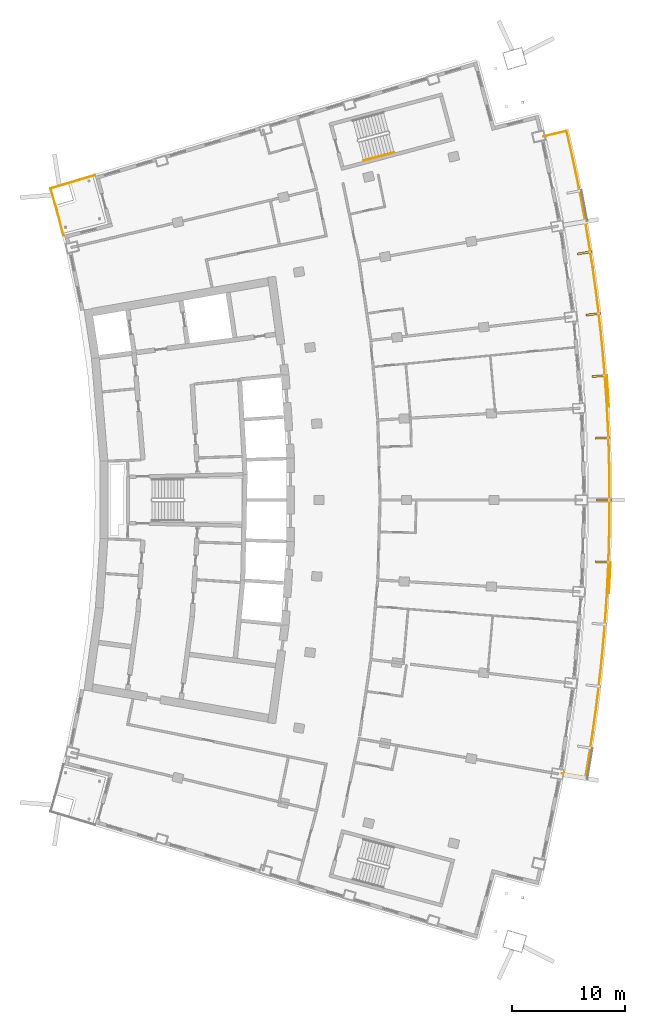
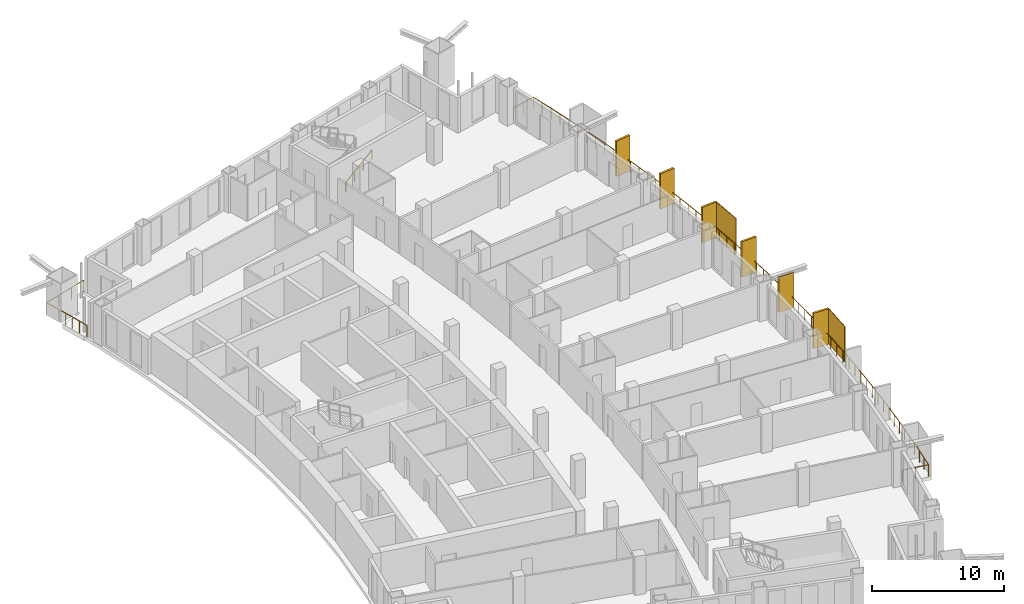
# One storey, part 19 of 20: 8 shading devices, 3 railings.
"""IFC4 building model written with IfcOpenShell, lengths in metres."""

from ifc_helpers import new_model, si_unit, direction, frame, origin, origin_2d, place, context, subcontext, project, spatial, rectangle, extrude, material, layer, layer_set, type_object, element, save


model = new_model("IFC4")

# Units and contexts
model_context = context("Model", 3, precision=1e-05, world=origin(), true_north=direction((0.0, 1.0)))
body_context = subcontext(model_context, "Body", "Model", "MODEL_VIEW")
ifc_project = project(units=[si_unit("LENGTHUNIT", "METRE"), si_unit("AREAUNIT", "SQUARE_METRE"), si_unit("VOLUMEUNIT", "CUBIC_METRE"), si_unit("PLANEANGLEUNIT", "RADIAN"), si_unit("MASSUNIT", "GRAM", prefix="KILO")], contexts=[model_context])

# Site, building, storey
site_placement = place(None, origin())
site = spatial("IfcSite", under=ifc_project, at=site_placement, CompositionType="ELEMENT")
building_placement = place(site_placement, origin())
building = spatial("IfcBuilding", under=site, at=building_placement, Name="Alderwake Tower", CompositionType="ELEMENT")
storey_placement = place(building_placement, frame((0.0, 0.0, 178.39990234375)))
storey = spatial("IfcBuildingStorey", under=building, at=storey_placement, Name="L44", CompositionType="ELEMENT", Elevation=178.39990234375)

# Railings
ifc_material_1 = material(Name="Stainless steel 316 rail and posts", Category="steel")
railing_type_1 = type_object("IfcRailingType", Name="Balcony guard 1100", PredefinedType="GUARDRAIL", material=ifc_material_1)
railing_1_placement = place(storey_placement, frame((57.2880859375, 36.826416015625, 0.0)))
element("IfcRailing", 1, at=railing_1_placement, inside=storey, type_object=railing_type_1, Name="Guard BF04", PredefinedType="GUARDRAIL", context=body_context, shape_type="SweptSolid", body=[
    extrude(rectangle(XDim=0.048095703125, YDim=0.048095703125, at=origin_2d()), frame((0.0, 0.0, 1.076171875), z_axis=(0.984840855066, -0.173460341844, 0.0), x_axis=(0.173460341844, 0.984840855066, 0.0)), (0.0, 0.0, 1.0), 2.099853515625),
    extrude(rectangle(XDim=0.048095703125, YDim=0.048095703125, at=origin_2d()), frame((2.068115234375, -0.3642578125, 1.076171875), z_axis=(0.166616540984, 0.98602176866, 0.0), x_axis=(-0.98602176866, 0.166616540984, 0.0)), (0.0, 0.0, 1.0), 1.96337890625),
    extrude(rectangle(XDim=0.048095703125, YDim=0.048095703125, at=origin_2d()), frame((2.395263671875, 1.57177734375, 1.076171875), z_axis=(0.152510602736, 0.988301834488, 0.0), x_axis=(-0.988301834488, 0.152510602736, 0.0)), (0.0, 0.0, 1.0), 2.0634765625),
    extrude(rectangle(XDim=0.048095703125, YDim=0.048095703125, at=origin_2d()), frame((2.7099609375, 3.611083984375, 1.076171875), z_axis=(0.13805839863, 0.99042409026, 0.0), x_axis=(-0.99042409026, 0.13805839863, 0.0)), (0.0, 0.0, 1.0), 2.063720703125),
    extrude(rectangle(XDim=0.048095703125, YDim=0.048095703125, at=origin_2d()), frame((2.994873046875, 5.655029296875, 1.076171875), z_axis=(0.123641547462, 0.992326945992, 0.0), x_axis=(-0.992326945992, 0.123641547462, 0.0)), (0.0, 0.0, 1.0), 2.0634765625),
    extrude(rectangle(XDim=0.048095703125, YDim=0.048095703125, at=origin_2d()), frame((3.25, 7.70263671875, 1.076171875), z_axis=(0.109197868393, 0.994020032765, 0.0), x_axis=(-0.994020032765, 0.109197868393, 0.0)), (0.0, 0.0, 1.0), 2.063720703125),
    extrude(rectangle(XDim=0.048095703125, YDim=0.048095703125, at=origin_2d()), frame((3.475341796875, 9.75390625, 1.076171875), z_axis=(0.094652754886, 0.995510349515, 0.0), x_axis=(-0.995510349515, 0.094652754886, 0.0)), (0.0, 0.0, 1.0), 2.0634765625),
    extrude(rectangle(XDim=0.048095703125, YDim=0.048095703125, at=origin_2d()), frame((3.670654296875, 11.80810546875, 1.076171875), z_axis=(0.08009789912, 0.996787001599, 0.0), x_axis=(-0.996787001599, 0.08009789912, 0.0)), (0.0, 0.0, 1.0), 2.0634765625),
    extrude(rectangle(XDim=0.048095703125, YDim=0.048095703125, at=origin_2d()), frame((3.8359375, 13.864990234375, 1.076171875), z_axis=(0.065545254579, 0.997849597686, 0.0), x_axis=(-0.997849597686, 0.065545254579, 0.0)), (0.0, 0.0, 1.0), 2.0634765625),
    extrude(rectangle(XDim=0.048095703125, YDim=0.048095703125, at=origin_2d()), frame((3.97119140625, 15.924072265625, 1.076171875), z_axis=(0.050993869739, 0.99869896628, 0.0), x_axis=(-0.99869896628, 0.050993869739, 0.0)), (0.0, 0.0, 1.0), 2.0634765625),
    extrude(rectangle(XDim=0.048095703125, YDim=0.048095703125, at=origin_2d()), frame((4.076416015625, 17.98486328125, 1.076171875), z_axis=(0.036438434606, 0.999335899727, 0.0), x_axis=(-0.999335899727, 0.036438434606, 0.0)), (0.0, 0.0, 1.0), 2.063720703125),
    extrude(rectangle(XDim=0.048095703125, YDim=0.048095703125, at=origin_2d()), frame((4.151611328125, 20.047119140625, 1.076171875), z_axis=(0.02200650366, 0.999757827575, 0.0), x_axis=(-0.999757827575, 0.02200650366, 0.0)), (0.0, 0.0, 1.0), 2.0634765625),
    extrude(rectangle(XDim=0.048095703125, YDim=0.048095703125, at=origin_2d()), frame((4.197021484375, 22.110107421875, 1.076171875), z_axis=(0.007217038732, 0.999973956837, 0.0), x_axis=(-0.999973956837, 0.007217038732, 0.0)), (0.0, 0.0, 1.0), 2.0634765625),
    extrude(rectangle(XDim=0.048095703125, YDim=0.048095703125, at=origin_2d()), frame((4.2119140625, 24.173583984375, 1.076171875), z_axis=(-0.007217038732, 0.999973956837, 0.0), x_axis=(-0.999973956837, -0.007217038732, 0.0)), (0.0, 0.0, 1.0), 2.0634765625),
    extrude(rectangle(XDim=0.048095703125, YDim=0.048095703125, at=origin_2d()), frame((4.197021484375, 26.237060546875, 1.076171875), z_axis=(-0.02200650366, 0.999757827575, 0.0), x_axis=(-0.999757827575, -0.02200650366, 0.0)), (0.0, 0.0, 1.0), 2.0634765625),
    extrude(rectangle(XDim=0.048095703125, YDim=0.048095703125, at=origin_2d()), frame((4.151611328125, 28.300048828125, 1.076171875), z_axis=(-0.036438434606, 0.999335899727, 0.0), x_axis=(-0.999335899727, -0.036438434606, 0.0)), (0.0, 0.0, 1.0), 2.063720703125),
    extrude(rectangle(XDim=0.048095703125, YDim=0.048095703125, at=origin_2d()), frame((4.076416015625, 30.3623046875, 1.076171875), z_axis=(-0.050993869739, 0.99869896628, 0.0), x_axis=(-0.99869896628, -0.050993869739, 0.0)), (0.0, 0.0, 1.0), 2.0634765625),
    extrude(rectangle(XDim=0.048095703125, YDim=0.048095703125, at=origin_2d()), frame((3.97119140625, 32.423095703125, 1.076171875), z_axis=(-0.065545254579, 0.997849597686, 0.0), x_axis=(-0.997849597686, -0.065545254579, 0.0)), (0.0, 0.0, 1.0), 2.0634765625),
    extrude(rectangle(XDim=0.048095703125, YDim=0.048095703125, at=origin_2d()), frame((3.8359375, 34.482177734375, 1.076171875), z_axis=(-0.08009789912, 0.996787001599, 0.0), x_axis=(-0.996787001599, -0.08009789912, 0.0)), (0.0, 0.0, 1.0), 2.0634765625),
    extrude(rectangle(XDim=0.048095703125, YDim=0.048095703125, at=origin_2d()), frame((3.670654296875, 36.5390625, 1.076171875), z_axis=(-0.094652754886, 0.995510349515, 0.0), x_axis=(-0.995510349515, -0.094652754886, 0.0)), (0.0, 0.0, 1.0), 2.0634765625),
    extrude(rectangle(XDim=0.048095703125, YDim=0.048095703125, at=origin_2d()), frame((3.475341796875, 38.59326171875, 1.076171875), z_axis=(-0.109197868393, 0.994020032765, 0.0), x_axis=(-0.994020032765, -0.109197868393, 0.0)), (0.0, 0.0, 1.0), 2.063720703125),
    extrude(rectangle(XDim=0.048095703125, YDim=0.048095703125, at=origin_2d()), frame((3.25, 40.64453125, 1.076171875), z_axis=(-0.123641547462, 0.992326945992, 0.0), x_axis=(-0.992326945992, -0.123641547462, 0.0)), (0.0, 0.0, 1.0), 2.0634765625),
    extrude(rectangle(XDim=0.048095703125, YDim=0.048095703125, at=origin_2d()), frame((2.994873046875, 42.692138671875, 1.076171875), z_axis=(-0.13805839863, 0.99042409026, 0.0), x_axis=(-0.99042409026, -0.13805839863, 0.0)), (0.0, 0.0, 1.0), 2.063720703125),
    extrude(rectangle(XDim=0.048095703125, YDim=0.048095703125, at=origin_2d()), frame((2.7099609375, 44.736083984375, 1.076171875), z_axis=(-0.152510602736, 0.988301834488, 0.0), x_axis=(-0.988301834488, -0.152510602736, 0.0)), (0.0, 0.0, 1.0), 2.0634765625),
    extrude(rectangle(XDim=0.048095703125, YDim=0.048095703125, at=origin_2d()), frame((2.395263671875, 46.775390625, 1.076171875), z_axis=(-0.166950324026, 0.985965308369, 0.0), x_axis=(-0.985965308369, -0.166950324026, 0.0)), (0.0, 0.0, 1.0), 2.0634765625),
    extrude(rectangle(XDim=0.048095703125, YDim=0.048095703125, at=origin_2d()), frame((2.05078125, 48.809814453125, 1.076171875), z_axis=(-0.181373216687, 0.983414336009, 0.0), x_axis=(-0.983414336009, -0.181373216687, 0.0)), (0.0, 0.0, 1.0), 2.0634765625),
    extrude(rectangle(XDim=0.048095703125, YDim=0.048095703125, at=origin_2d()), frame((1.676513671875, 50.839111328125, 1.076171875), z_axis=(-0.195570048473, 0.980689734901, 0.0), x_axis=(-0.980689734901, -0.195570048473, 0.0)), (0.0, 0.0, 1.0), 2.0634765625),
    extrude(rectangle(XDim=0.048095703125, YDim=0.048095703125, at=origin_2d()), frame((1.27294921875, 52.86279296875, 1.076171875), z_axis=(-0.209884586487, 0.97772616839, 0.0), x_axis=(-0.97772616839, -0.209884586487, 0.0)), (0.0, 0.0, 1.0), 2.0634765625),
    extrude(rectangle(XDim=0.048095703125, YDim=0.048095703125, at=origin_2d()), frame((0.83984375, 54.88037109375, 1.076171875), z_axis=(-0.223678856679, 0.974662900225, 0.0), x_axis=(-0.974662900225, -0.223678856679, 0.0)), (0.0, 0.0, 1.0), 1.963623046875),
    extrude(rectangle(XDim=0.048095703125, YDim=0.048095703125, at=origin_2d()), frame((0.400634765625, 56.794189453125, 1.076171875), z_axis=(-0.973063818564, -0.230535908269, 0.0), x_axis=(0.230535908269, -0.973063818564, 0.0)), (0.0, 0.0, 1.0), 2.10009765625),
    extrude(rectangle(XDim=0.0419921875, YDim=0.0419921875, at=origin_2d()), frame((0.0, 0.0, 0.0), z_axis=(0.0, 0.0, 1.0), x_axis=(0.984840855066, -0.173460341844, 0.0)), (0.0, 0.0, 1.0), 1.052001953125),
    extrude(rectangle(XDim=0.0419921875, YDim=0.0419921875, at=origin_2d()), frame((1.0341796875, -0.18212890625, 0.0), z_axis=(0.0, 0.0, 1.0), x_axis=(0.984840855066, -0.173460341844, 0.0)), (0.0, 0.0, 1.0), 1.052001953125),
    extrude(rectangle(XDim=0.0419921875, YDim=0.0419921875, at=origin_2d()), frame((2.068115234375, -0.3642578125, 0.0), z_axis=(0.0, 0.0, 1.0), x_axis=(0.166616540984, 0.98602176866, 0.0)), (0.0, 0.0, 1.0), 1.052001953125),
    extrude(rectangle(XDim=0.0419921875, YDim=0.0419921875, at=origin_2d()), frame((2.231689453125, 0.603759765625, 0.0), z_axis=(0.0, 0.0, 1.0), x_axis=(0.166616540984, 0.98602176866, 0.0)), (0.0, 0.0, 1.0), 1.052001953125),
    extrude(rectangle(XDim=0.0419921875, YDim=0.0419921875, at=origin_2d()), frame((2.395263671875, 1.57177734375, 0.0), z_axis=(0.0, 0.0, 1.0), x_axis=(0.152510602736, 0.988301834488, 0.0)), (0.0, 0.0, 1.0), 1.052001953125),
    extrude(rectangle(XDim=0.0419921875, YDim=0.0419921875, at=origin_2d()), frame((2.552734375, 2.59130859375, 0.0), z_axis=(0.0, 0.0, 1.0), x_axis=(0.152510602736, 0.988301834488, 0.0)), (0.0, 0.0, 1.0), 1.052001953125),
    extrude(rectangle(XDim=0.0419921875, YDim=0.0419921875, at=origin_2d()), frame((2.7099609375, 3.611083984375, 0.0), z_axis=(0.0, 0.0, 1.0), x_axis=(0.13805839863, 0.99042409026, 0.0)), (0.0, 0.0, 1.0), 1.052001953125),
    extrude(rectangle(XDim=0.0419921875, YDim=0.0419921875, at=origin_2d()), frame((2.8525390625, 4.633056640625, 0.0), z_axis=(0.0, 0.0, 1.0), x_axis=(0.13805839863, 0.99042409026, 0.0)), (0.0, 0.0, 1.0), 1.052001953125),
    extrude(rectangle(XDim=0.0419921875, YDim=0.0419921875, at=origin_2d()), frame((2.994873046875, 5.655029296875, 0.0), z_axis=(0.0, 0.0, 1.0), x_axis=(0.123641547462, 0.992326945992, 0.0)), (0.0, 0.0, 1.0), 1.052001953125),
    extrude(rectangle(XDim=0.0419921875, YDim=0.0419921875, at=origin_2d()), frame((3.12255859375, 6.6787109375, 0.0), z_axis=(0.0, 0.0, 1.0), x_axis=(0.123641547462, 0.992326945992, 0.0)), (0.0, 0.0, 1.0), 1.052001953125),
    extrude(rectangle(XDim=0.0419921875, YDim=0.0419921875, at=origin_2d()), frame((3.25, 7.70263671875, 0.0), z_axis=(0.0, 0.0, 1.0), x_axis=(0.109197868393, 0.994020032765, 0.0)), (0.0, 0.0, 1.0), 1.052001953125),
    extrude(rectangle(XDim=0.0419921875, YDim=0.0419921875, at=origin_2d()), frame((3.36279296875, 8.728271484375, 0.0), z_axis=(0.0, 0.0, 1.0), x_axis=(0.109197868393, 0.994020032765, 0.0)), (0.0, 0.0, 1.0), 1.052001953125),
    extrude(rectangle(XDim=0.0419921875, YDim=0.0419921875, at=origin_2d()), frame((3.475341796875, 9.75390625, 0.0), z_axis=(0.0, 0.0, 1.0), x_axis=(0.094652754886, 0.995510349515, 0.0)), (0.0, 0.0, 1.0), 1.052001953125),
    extrude(rectangle(XDim=0.0419921875, YDim=0.0419921875, at=origin_2d()), frame((3.572998046875, 10.781005859375, 0.0), z_axis=(0.0, 0.0, 1.0), x_axis=(0.094652754886, 0.995510349515, 0.0)), (0.0, 0.0, 1.0), 1.052001953125),
    extrude(rectangle(XDim=0.0419921875, YDim=0.0419921875, at=origin_2d()), frame((3.670654296875, 11.80810546875, 0.0), z_axis=(0.0, 0.0, 1.0), x_axis=(0.08009789912, 0.996787001599, 0.0)), (0.0, 0.0, 1.0), 1.052001953125),
    extrude(rectangle(XDim=0.0419921875, YDim=0.0419921875, at=origin_2d()), frame((3.75341796875, 12.83642578125, 0.0), z_axis=(0.0, 0.0, 1.0), x_axis=(0.08009789912, 0.996787001599, 0.0)), (0.0, 0.0, 1.0), 1.052001953125),
    extrude(rectangle(XDim=0.0419921875, YDim=0.0419921875, at=origin_2d()), frame((3.8359375, 13.864990234375, 0.0), z_axis=(0.0, 0.0, 1.0), x_axis=(0.065545254579, 0.997849597686, 0.0)), (0.0, 0.0, 1.0), 1.052001953125),
    extrude(rectangle(XDim=0.0419921875, YDim=0.0419921875, at=origin_2d()), frame((3.903564453125, 14.89453125, 0.0), z_axis=(0.0, 0.0, 1.0), x_axis=(0.065545254579, 0.997849597686, 0.0)), (0.0, 0.0, 1.0), 1.052001953125),
    extrude(rectangle(XDim=0.0419921875, YDim=0.0419921875, at=origin_2d()), frame((3.97119140625, 15.924072265625, 0.0), z_axis=(0.0, 0.0, 1.0), x_axis=(0.050993869739, 0.99869896628, 0.0)), (0.0, 0.0, 1.0), 1.052001953125),
    extrude(rectangle(XDim=0.0419921875, YDim=0.0419921875, at=origin_2d()), frame((4.02392578125, 16.95458984375, 0.0), z_axis=(0.0, 0.0, 1.0), x_axis=(0.050993869739, 0.99869896628, 0.0)), (0.0, 0.0, 1.0), 1.052001953125),
    extrude(rectangle(XDim=0.0419921875, YDim=0.0419921875, at=origin_2d()), frame((4.076416015625, 17.98486328125, 0.0), z_axis=(0.0, 0.0, 1.0), x_axis=(0.036438434606, 0.999335899727, 0.0)), (0.0, 0.0, 1.0), 1.052001953125),
    extrude(rectangle(XDim=0.0419921875, YDim=0.0419921875, at=origin_2d()), frame((4.114013671875, 19.01611328125, 0.0), z_axis=(0.0, 0.0, 1.0), x_axis=(0.036438434606, 0.999335899727, 0.0)), (0.0, 0.0, 1.0), 1.052001953125),
    extrude(rectangle(XDim=0.0419921875, YDim=0.0419921875, at=origin_2d()), frame((4.151611328125, 20.047119140625, 0.0), z_axis=(0.0, 0.0, 1.0), x_axis=(0.02200650366, 0.999757827575, 0.0)), (0.0, 0.0, 1.0), 1.052001953125),
    extrude(rectangle(XDim=0.0419921875, YDim=0.0419921875, at=origin_2d()), frame((4.17431640625, 21.07861328125, 0.0), z_axis=(0.0, 0.0, 1.0), x_axis=(0.02200650366, 0.999757827575, 0.0)), (0.0, 0.0, 1.0), 1.052001953125),
    extrude(rectangle(XDim=0.0419921875, YDim=0.0419921875, at=origin_2d()), frame((4.197021484375, 22.110107421875, 0.0), z_axis=(0.0, 0.0, 1.0), x_axis=(0.007217038732, 0.999973956837, 0.0)), (0.0, 0.0, 1.0), 1.052001953125),
    extrude(rectangle(XDim=0.0419921875, YDim=0.0419921875, at=origin_2d()), frame((4.20458984375, 23.141845703125, 0.0), z_axis=(0.0, 0.0, 1.0), x_axis=(0.007217038732, 0.999973956837, 0.0)), (0.0, 0.0, 1.0), 1.052001953125),
    extrude(rectangle(XDim=0.0419921875, YDim=0.0419921875, at=origin_2d()), frame((4.2119140625, 24.173583984375, 0.0), z_axis=(0.0, 0.0, 1.0), x_axis=(-0.007217038732, 0.999973956837, 0.0)), (0.0, 0.0, 1.0), 1.052001953125),
    extrude(rectangle(XDim=0.0419921875, YDim=0.0419921875, at=origin_2d()), frame((4.20458984375, 25.205322265625, 0.0), z_axis=(0.0, 0.0, 1.0), x_axis=(-0.007217038732, 0.999973956837, 0.0)), (0.0, 0.0, 1.0), 1.052001953125),
    extrude(rectangle(XDim=0.0419921875, YDim=0.0419921875, at=origin_2d()), frame((4.197021484375, 26.237060546875, 0.0), z_axis=(0.0, 0.0, 1.0), x_axis=(-0.02200650366, 0.999757827575, 0.0)), (0.0, 0.0, 1.0), 1.052001953125),
    extrude(rectangle(XDim=0.0419921875, YDim=0.0419921875, at=origin_2d()), frame((4.17431640625, 27.2685546875, 0.0), z_axis=(0.0, 0.0, 1.0), x_axis=(-0.02200650366, 0.999757827575, 0.0)), (0.0, 0.0, 1.0), 1.052001953125),
    extrude(rectangle(XDim=0.0419921875, YDim=0.0419921875, at=origin_2d()), frame((4.151611328125, 28.300048828125, 0.0), z_axis=(0.0, 0.0, 1.0), x_axis=(-0.036438434606, 0.999335899727, 0.0)), (0.0, 0.0, 1.0), 1.052001953125),
    extrude(rectangle(XDim=0.0419921875, YDim=0.0419921875, at=origin_2d()), frame((4.114013671875, 29.3310546875, 0.0), z_axis=(0.0, 0.0, 1.0), x_axis=(-0.036438434606, 0.999335899727, 0.0)), (0.0, 0.0, 1.0), 1.052001953125),
    extrude(rectangle(XDim=0.0419921875, YDim=0.0419921875, at=origin_2d()), frame((4.076416015625, 30.3623046875, 0.0), z_axis=(0.0, 0.0, 1.0), x_axis=(-0.050993869739, 0.99869896628, 0.0)), (0.0, 0.0, 1.0), 1.052001953125),
    extrude(rectangle(XDim=0.0419921875, YDim=0.0419921875, at=origin_2d()), frame((4.02392578125, 31.392578125, 0.0), z_axis=(0.0, 0.0, 1.0), x_axis=(-0.050993869739, 0.99869896628, 0.0)), (0.0, 0.0, 1.0), 1.052001953125),
    extrude(rectangle(XDim=0.0419921875, YDim=0.0419921875, at=origin_2d()), frame((3.97119140625, 32.423095703125, 0.0), z_axis=(0.0, 0.0, 1.0), x_axis=(-0.065545254579, 0.997849597686, 0.0)), (0.0, 0.0, 1.0), 1.052001953125),
    extrude(rectangle(XDim=0.0419921875, YDim=0.0419921875, at=origin_2d()), frame((3.903564453125, 33.45263671875, 0.0), z_axis=(0.0, 0.0, 1.0), x_axis=(-0.065545254579, 0.997849597686, 0.0)), (0.0, 0.0, 1.0), 1.052001953125),
    extrude(rectangle(XDim=0.0419921875, YDim=0.0419921875, at=origin_2d()), frame((3.8359375, 34.482177734375, 0.0), z_axis=(0.0, 0.0, 1.0), x_axis=(-0.08009789912, 0.996787001599, 0.0)), (0.0, 0.0, 1.0), 1.052001953125),
    extrude(rectangle(XDim=0.0419921875, YDim=0.0419921875, at=origin_2d()), frame((3.75341796875, 35.5107421875, 0.0), z_axis=(0.0, 0.0, 1.0), x_axis=(-0.08009789912, 0.996787001599, 0.0)), (0.0, 0.0, 1.0), 1.052001953125),
    extrude(rectangle(XDim=0.0419921875, YDim=0.0419921875, at=origin_2d()), frame((3.670654296875, 36.5390625, 0.0), z_axis=(0.0, 0.0, 1.0), x_axis=(-0.094652754886, 0.995510349515, 0.0)), (0.0, 0.0, 1.0), 1.052001953125),
    extrude(rectangle(XDim=0.0419921875, YDim=0.0419921875, at=origin_2d()), frame((3.572998046875, 37.566162109375, 0.0), z_axis=(0.0, 0.0, 1.0), x_axis=(-0.094652754886, 0.995510349515, 0.0)), (0.0, 0.0, 1.0), 1.052001953125),
    extrude(rectangle(XDim=0.0419921875, YDim=0.0419921875, at=origin_2d()), frame((3.475341796875, 38.59326171875, 0.0), z_axis=(0.0, 0.0, 1.0), x_axis=(-0.109197868393, 0.994020032765, 0.0)), (0.0, 0.0, 1.0), 1.052001953125),
    extrude(rectangle(XDim=0.0419921875, YDim=0.0419921875, at=origin_2d()), frame((3.36279296875, 39.618896484375, 0.0), z_axis=(0.0, 0.0, 1.0), x_axis=(-0.109197868393, 0.994020032765, 0.0)), (0.0, 0.0, 1.0), 1.052001953125),
    extrude(rectangle(XDim=0.0419921875, YDim=0.0419921875, at=origin_2d()), frame((3.25, 40.64453125, 0.0), z_axis=(0.0, 0.0, 1.0), x_axis=(-0.123641547462, 0.992326945992, 0.0)), (0.0, 0.0, 1.0), 1.052001953125),
    extrude(rectangle(XDim=0.0419921875, YDim=0.0419921875, at=origin_2d()), frame((3.12255859375, 41.66845703125, 0.0), z_axis=(0.0, 0.0, 1.0), x_axis=(-0.123641547462, 0.992326945992, 0.0)), (0.0, 0.0, 1.0), 1.052001953125),
    extrude(rectangle(XDim=0.0419921875, YDim=0.0419921875, at=origin_2d()), frame((2.994873046875, 42.692138671875, 0.0), z_axis=(0.0, 0.0, 1.0), x_axis=(-0.13805839863, 0.99042409026, 0.0)), (0.0, 0.0, 1.0), 1.052001953125),
    extrude(rectangle(XDim=0.0419921875, YDim=0.0419921875, at=origin_2d()), frame((2.8525390625, 43.714111328125, 0.0), z_axis=(0.0, 0.0, 1.0), x_axis=(-0.13805839863, 0.99042409026, 0.0)), (0.0, 0.0, 1.0), 1.052001953125),
    extrude(rectangle(XDim=0.0419921875, YDim=0.0419921875, at=origin_2d()), frame((2.7099609375, 44.736083984375, 0.0), z_axis=(0.0, 0.0, 1.0), x_axis=(-0.152510602736, 0.988301834488, 0.0)), (0.0, 0.0, 1.0), 1.052001953125),
    extrude(rectangle(XDim=0.0419921875, YDim=0.0419921875, at=origin_2d()), frame((2.552734375, 45.755859375, 0.0), z_axis=(0.0, 0.0, 1.0), x_axis=(-0.152510602736, 0.988301834488, 0.0)), (0.0, 0.0, 1.0), 1.052001953125),
    extrude(rectangle(XDim=0.0419921875, YDim=0.0419921875, at=origin_2d()), frame((2.395263671875, 46.775390625, 0.0), z_axis=(0.0, 0.0, 1.0), x_axis=(-0.166950324026, 0.985965308369, 0.0)), (0.0, 0.0, 1.0), 1.052001953125),
    extrude(rectangle(XDim=0.0419921875, YDim=0.0419921875, at=origin_2d()), frame((2.22314453125, 47.79248046875, 0.0), z_axis=(0.0, 0.0, 1.0), x_axis=(-0.166950324026, 0.985965308369, 0.0)), (0.0, 0.0, 1.0), 1.052001953125),
    extrude(rectangle(XDim=0.0419921875, YDim=0.0419921875, at=origin_2d()), frame((2.05078125, 48.809814453125, 0.0), z_axis=(0.0, 0.0, 1.0), x_axis=(-0.181373216687, 0.983414336009, 0.0)), (0.0, 0.0, 1.0), 1.052001953125),
    extrude(rectangle(XDim=0.0419921875, YDim=0.0419921875, at=origin_2d()), frame((1.86376953125, 49.824462890625, 0.0), z_axis=(0.0, 0.0, 1.0), x_axis=(-0.181373216687, 0.983414336009, 0.0)), (0.0, 0.0, 1.0), 1.052001953125),
    extrude(rectangle(XDim=0.0419921875, YDim=0.0419921875, at=origin_2d()), frame((1.676513671875, 50.839111328125, 0.0), z_axis=(0.0, 0.0, 1.0), x_axis=(-0.195570048473, 0.980689734901, 0.0)), (0.0, 0.0, 1.0), 1.052001953125),
    extrude(rectangle(XDim=0.0419921875, YDim=0.0419921875, at=origin_2d()), frame((1.474609375, 51.85107421875, 0.0), z_axis=(0.0, 0.0, 1.0), x_axis=(-0.195570048473, 0.980689734901, 0.0)), (0.0, 0.0, 1.0), 1.052001953125),
    extrude(rectangle(XDim=0.0419921875, YDim=0.0419921875, at=origin_2d()), frame((1.27294921875, 52.86279296875, 0.0), z_axis=(0.0, 0.0, 1.0), x_axis=(-0.209884586487, 0.97772616839, 0.0)), (0.0, 0.0, 1.0), 1.052001953125),
    extrude(rectangle(XDim=0.0419921875, YDim=0.0419921875, at=origin_2d()), frame((1.056396484375, 53.87158203125, 0.0), z_axis=(0.0, 0.0, 1.0), x_axis=(-0.209884586487, 0.97772616839, 0.0)), (0.0, 0.0, 1.0), 1.052001953125),
    extrude(rectangle(XDim=0.0419921875, YDim=0.0419921875, at=origin_2d()), frame((0.83984375, 54.88037109375, 0.0), z_axis=(0.0, 0.0, 1.0), x_axis=(-0.223678856679, 0.974662900225, 0.0)), (0.0, 0.0, 1.0), 1.052001953125),
    extrude(rectangle(XDim=0.0419921875, YDim=0.0419921875, at=origin_2d()), frame((0.6201171875, 55.83740234375, 0.0), z_axis=(0.0, 0.0, 1.0), x_axis=(-0.223678856679, 0.974662900225, 0.0)), (0.0, 0.0, 1.0), 1.052001953125),
    extrude(rectangle(XDim=0.0419921875, YDim=0.0419921875, at=origin_2d()), frame((0.400634765625, 56.794189453125, 0.0), z_axis=(0.0, 0.0, 1.0), x_axis=(-0.973063818564, -0.230535908269, 0.0)), (0.0, 0.0, 1.0), 1.052001953125),
    extrude(rectangle(XDim=0.0419921875, YDim=0.0419921875, at=origin_2d()), frame((-0.62109375, 56.55224609375, 0.0), z_axis=(0.0, 0.0, 1.0), x_axis=(-0.973063818564, -0.230535908269, 0.0)), (0.0, 0.0, 1.0), 1.052001953125),
    extrude(rectangle(XDim=0.0419921875, YDim=0.0419921875, at=origin_2d()), frame((-1.642822265625, 56.31005859375, 0.0), z_axis=(0.0, 0.0, 1.0), x_axis=(-0.973063818564, -0.230535908269, 0.0)), (0.0, 0.0, 1.0), 1.052001953125),
])
railing_2_placement = place(storey_placement, frame((13.210693359375, 84.387451171875, 0.0)))
element("IfcRailing", 2, at=railing_2_placement, inside=storey, type_object=railing_type_1, Name="Guard terrace RN", PredefinedType="GUARDRAIL", context=body_context, shape_type="SweptSolid", body=[
    extrude(rectangle(XDim=0.048095703125, YDim=0.048095703125, at=origin_2d()), frame((0.0, 0.0, 1.076171875), z_axis=(-0.251385381433, 0.967887075026, 0.0), x_axis=(-0.967887075026, -0.251385381433, 0.0)), (0.0, 0.0, 1.0), 1.6015625),
    extrude(rectangle(XDim=0.048095703125, YDim=0.048095703125, at=origin_2d()), frame((-0.402587890625, 1.550048828125, 1.076171875), z_axis=(-0.266520638672, 0.963829211615, 0.0), x_axis=(-0.963829211615, -0.266520638672, 0.0)), (0.0, 0.0, 1.0), 1.401611328125),
    extrude(rectangle(XDim=0.048095703125, YDim=0.048095703125, at=origin_2d()), frame((-0.776123046875, 2.90087890625, 1.076171875), z_axis=(-0.280093650878, 0.959972680204, 0.0), x_axis=(-0.959972680204, -0.280093650878, 0.0)), (0.0, 0.0, 1.0), 1.30126953125),
    extrude(rectangle(XDim=0.048095703125, YDim=0.048095703125, at=origin_2d()), frame((-1.140625, 4.150146484375, 1.076171875), z_axis=(0.958066871889, 0.286544706789, 0.0), x_axis=(-0.286544706789, 0.958066871889, 0.0)), (0.0, 0.0, 1.0), 4.099853515625),
    extrude(rectangle(XDim=0.0419921875, YDim=0.0419921875, at=origin_2d()), frame((0.0, 0.0, 0.0), z_axis=(0.0, 0.0, 1.0), x_axis=(-0.251385381433, 0.967887075026, 0.0)), (0.0, 0.0, 1.0), 1.052001953125),
    extrude(rectangle(XDim=0.0419921875, YDim=0.0419921875, at=origin_2d()), frame((-0.201171875, 0.77490234375, 0.0), z_axis=(0.0, 0.0, 1.0), x_axis=(-0.251385381433, 0.967887075026, 0.0)), (0.0, 0.0, 1.0), 1.052001953125),
    extrude(rectangle(XDim=0.0419921875, YDim=0.0419921875, at=origin_2d()), frame((-0.402587890625, 1.550048828125, 0.0), z_axis=(0.0, 0.0, 1.0), x_axis=(-0.266520638672, 0.963829211615, 0.0)), (0.0, 0.0, 1.0), 1.052001953125),
    extrude(rectangle(XDim=0.0419921875, YDim=0.0419921875, at=origin_2d()), frame((-0.58935546875, 2.2255859375, 0.0), z_axis=(0.0, 0.0, 1.0), x_axis=(-0.266520638672, 0.963829211615, 0.0)), (0.0, 0.0, 1.0), 1.052001953125),
    extrude(rectangle(XDim=0.0419921875, YDim=0.0419921875, at=origin_2d()), frame((-0.776123046875, 2.90087890625, 0.0), z_axis=(0.0, 0.0, 1.0), x_axis=(-0.280093650878, 0.959972680204, 0.0)), (0.0, 0.0, 1.0), 1.052001953125),
    extrude(rectangle(XDim=0.0419921875, YDim=0.0419921875, at=origin_2d()), frame((-1.140625, 4.150146484375, 0.0), z_axis=(0.0, 0.0, 1.0), x_axis=(0.958066871889, 0.286544706789, 0.0)), (0.0, 0.0, 1.0), 1.052001953125),
    extrude(rectangle(XDim=0.0419921875, YDim=0.0419921875, at=origin_2d()), frame((0.168701171875, 4.541748046875, 0.0), z_axis=(0.0, 0.0, 1.0), x_axis=(0.958066871889, 0.286544706789, 0.0)), (0.0, 0.0, 1.0), 1.052001953125),
    extrude(rectangle(XDim=0.0419921875, YDim=0.0419921875, at=origin_2d()), frame((1.47802734375, 4.933349609375, 0.0), z_axis=(0.0, 0.0, 1.0), x_axis=(0.958066871889, 0.286544706789, 0.0)), (0.0, 0.0, 1.0), 1.052001953125),
    extrude(rectangle(XDim=0.0419921875, YDim=0.0419921875, at=origin_2d()), frame((2.787353515625, 5.324951171875, 0.0), z_axis=(0.0, 0.0, 1.0), x_axis=(0.958066871889, 0.286544706789, 0.0)), (0.0, 0.0, 1.0), 1.052001953125),
])

# Shading devices
ifc_material_2 = material(Name="Bronze anodised aluminium", Category="aluminium")
ifc_layer_1 = layer(ifc_material_2, 0.179931640625)
ifc_layer_set_1 = layer_set([ifc_layer_1], Name="Facade fin 1300")
shading_device_type_1 = type_object("IfcShadingDeviceType", Name="Facade fin 1300", PredefinedType="USERDEFINED", material=ifc_layer_set_1)
for number, where, z_axis, x_axis, name in (
    (3, (60.893310546875, 55.5166015625, 0.0), (0.0, 0.0, 1.0), (0.999243494356, -0.038890088543, 0.0), "Fin"),
    (4, (61.0, 61.0, 0.0), (0.0, 0.0, 1.0), (1.0, 0.0, 0.0), "Fin"),
    (5, (60.893310546875, 66.4833984375, 0.0), (0.0, 0.0, 1.0), (0.999243494356, 0.038890088543, 0.0), "Fin"),
    (6, (60.573486328125, 71.958740234375, 0.0), (0.0, 0.0, 1.0), (0.996975122026, 0.077721335943, 0.0), "Fin"),
    (7, (60.041015625, 77.41748046875, 0.0), (0.0, 0.0, 1.0), (0.993198315083, 0.116434990084, 0.0), "Fin"),
    (8, (59.29638671875, 82.851318359375, 0.0), (0.0, 0.0, 1.0), (0.987918787879, 0.154972476771, 0.0), "Fin"),
):
    element("IfcShadingDevice", number, at=place(storey_placement, frame(where, z_axis=z_axis, x_axis=x_axis)), inside=storey, type_object=shading_device_type_1, Name=name, ObjectType="FIN", PredefinedType="USERDEFINED", context=body_context, shape_type="SweptSolid", body=[
        extrude(rectangle(XDim=1.300048828125, YDim=0.179931640625, at=origin_2d()), origin(), (0.0, 0.0, 1.0), 3.280029296875),
    ])
ifc_material_3 = material(Name="Perforated bronze anodised aluminium", Category="aluminium")
ifc_layer_2 = layer(ifc_material_3, 0.050048828125)
ifc_layer_set_2 = layer_set([ifc_layer_2], Name="Perforated screen panel")
shading_device_type_2 = type_object("IfcShadingDeviceType", Name="Perforated screen panel", PredefinedType="USERDEFINED", material=ifc_layer_set_2)
shading_device_1_placement = place(storey_placement, frame((61.501220703125, 54.11767578125, 0.0), z_axis=(0.0, 0.0, 1.0), x_axis=(0.998819231138, -0.048581308217, 0.0)))
element("IfcShadingDevice", 9, at=shading_device_1_placement, inside=storey, type_object=shading_device_type_2, Name="Screen panel", ObjectType="SCREEN", PredefinedType="USERDEFINED", context=body_context, shape_type="SweptSolid", body=[
    extrude(rectangle(XDim=0.050048828125, YDim=2.74853515625, at=origin_2d()), origin(), (0.0, 0.0, 1.0), 3.280029296875),
])
shading_device_2_placement = place(storey_placement, frame((61.34033203125, 70.633056640625, 0.0), z_axis=(0.0, 0.0, 1.0), x_axis=(0.997685465774, 0.067997877779, 0.0)))
element("IfcShadingDevice", 10, at=shading_device_2_placement, inside=storey, type_object=shading_device_type_2, Name="Screen panel", ObjectType="SCREEN", PredefinedType="USERDEFINED", context=body_context, shape_type="SweptSolid", body=[
    extrude(rectangle(XDim=0.050048828125, YDim=2.7626953125, at=origin_2d()), origin(), (0.0, 0.0, 1.0), 3.280029296875),
])

# Railing
ifc_material_4 = material(Name="Stainless steel handrail", Category="steel")
railing_type_2 = type_object("IfcRailingType", Name="Stair handrail 900", PredefinedType="HANDRAIL", material=ifc_material_4)
railing_3_placement = place(storey_placement, frame((39.731689453125, 91.002685546875, 0.163818359375)))
element("IfcRailing", 11, at=railing_3_placement, inside=storey, type_object=railing_type_2, Name="L44 ST-A stair handrail 1", PredefinedType="HANDRAIL", context=body_context, shape_type="SweptSolid", body=[
    extrude(rectangle(XDim=0.048095703125, YDim=0.048095703125, at=origin_2d()), frame((0.0, 0.0, 0.8759765625), z_axis=(0.834290631165, 0.222236594766, 0.504549342183), x_axis=(-0.257402139082, 0.966304371715, 0.0)), (0.0, 0.0, 1.0), 3.242919921875),
    extrude(rectangle(XDim=0.0419921875, YDim=0.0419921875, at=origin_2d()), frame((0.0, 0.0, 0.0), z_axis=(0.0, 0.0, 1.0), x_axis=(0.966304371715, 0.257402139082, 0.0)), (0.0, 0.0, 1.0), 0.851806640625),
    extrude(rectangle(XDim=0.0419921875, YDim=0.0419921875, at=origin_2d()), frame((0.90185546875, 0.240234375, 0.54541015625), z_axis=(0.0, 0.0, 1.0), x_axis=(0.966304371715, 0.257402139082, 0.0)), (0.0, 0.0, 1.0), 0.851806640625),
    extrude(rectangle(XDim=0.0419921875, YDim=0.0419921875, at=origin_2d()), frame((1.8037109375, 0.48046875, 1.0908203125), z_axis=(0.0, 0.0, 1.0), x_axis=(0.966304371715, 0.257402139082, 0.0)), (0.0, 0.0, 1.0), 0.851806640625),
    extrude(rectangle(XDim=0.0419921875, YDim=0.0419921875, at=origin_2d()), frame((2.70556640625, 0.720703125, 1.63623046875), z_axis=(0.0, 0.0, 1.0), x_axis=(0.966304371715, 0.257402139082, 0.0)), (0.0, 0.0, 1.0), 0.851806640625),
])

save(model, "model.ifc")
